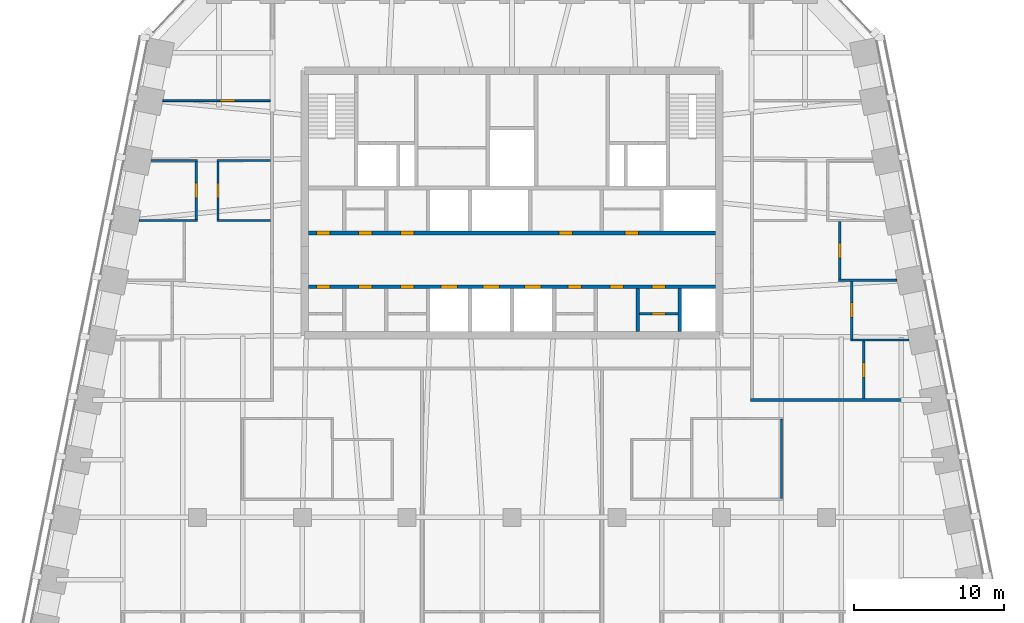
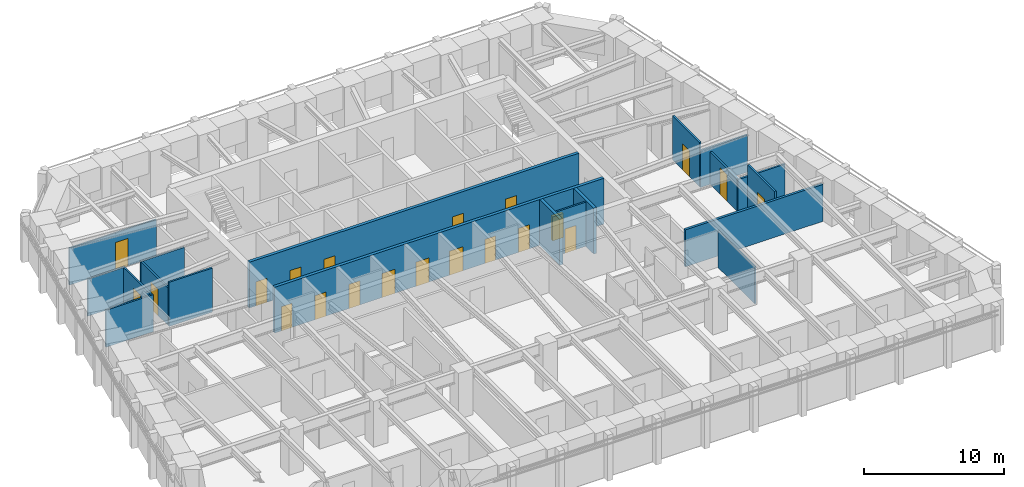
# One storey, part 7 of 11: 21 doors, 19 walls, 21 openings.
"""IFC4 building model written with IfcOpenShell, lengths in metres."""

from ifc_helpers import new_model, si_unit, direction, frame, frame_2d, origin, place, context, subcontext, project, spatial, rectangle, extrude, material, layer, layer_set, type_object, element, fill, save


model = new_model("IFC4")

# Units and contexts
model_context = context("Model", 3, precision=1e-05, world=origin(), true_north=direction((0.0, 1.0)))
body_context = subcontext(model_context, "Body", "Model", "MODEL_VIEW")
ifc_project = project(units=[si_unit("LENGTHUNIT", "METRE"), si_unit("AREAUNIT", "SQUARE_METRE"), si_unit("VOLUMEUNIT", "CUBIC_METRE"), si_unit("PLANEANGLEUNIT", "RADIAN"), si_unit("MASSUNIT", "GRAM", prefix="KILO")], contexts=[model_context])

# Site, building, storey
site_placement = place(None, origin())
site = spatial("IfcSite", under=ifc_project, at=site_placement, CompositionType="ELEMENT")
building_placement = place(site_placement, origin())
building = spatial("IfcBuilding", under=site, at=building_placement, Name="Isbrekke Arena Tower", CompositionType="ELEMENT")
storey_placement = place(building_placement, frame((0.0, 0.0, 248.0)))
storey = spatial("IfcBuildingStorey", under=building, at=storey_placement, Name="L57", CompositionType="ELEMENT", Elevation=248.0)

# Wall, openings, doors
ifc_material_1 = material(Name="Concrete B45 (C45/55)", Category="concrete")
ifc_layer_1 = layer(ifc_material_1, 0.25)
ifc_layer_set_1 = layer_set([ifc_layer_1], Name="CW6 SHAFT WALL 250")
wall_type_1 = type_object("IfcWallType", Name="CW6 SHAFT WALL 250", PredefinedType="SHEAR", material=ifc_layer_set_1)
wall_1_placement = place(storey_placement, frame((-13.60009765625, 9.39990234375, 0.0), z_axis=(0.0, 0.0, 1.0), x_axis=(1.0, 0.0, 0.0)))
wall_1 = element("IfcWall", 1, at=wall_1_placement, inside=storey, type_object=wall_type_1, Name="Core wall LS L57", PredefinedType="SHEAR", context=body_context, shape_type="SweptSolid", body=[
    extrude(rectangle(XDim=27.2001953125, YDim=0.25, at=frame_2d((13.60009765625, 0.0))), origin(), (0.0, 0.0, 1.0), 4.0),
])
opening_1_placement = place(wall_1_placement, frame((8.85009765625, 0.0, 0.0)))
opening_1 = element("IfcOpeningElement", 2, at=opening_1_placement, cuts=wall_1, Name="Opening LD1", PredefinedType="OPENING", context=body_context, shape_type="SweptSolid", body=[
    extrude(rectangle(XDim=1.10009765625, YDim=2.10009765625, at=frame_2d((0.550048828125, 1.050048828125))), frame((0.0, 0.139892578125, 0.0), z_axis=(0.0, -1.0, 0.0), x_axis=(1.0, 0.0, 0.0)), (0.0, 0.0, 1.0), 0.27978515625),
])
opening_2_placement = place(wall_1_placement, frame((11.64990234375, 0.0, 0.0)))
opening_2 = element("IfcOpeningElement", 3, at=opening_2_placement, cuts=wall_1, Name="Opening LD1", PredefinedType="OPENING", context=body_context, shape_type="SweptSolid", body=[
    extrude(rectangle(XDim=1.10009765625, YDim=2.10009765625, at=frame_2d((0.550048828125, 1.050048828125))), frame((0.0, 0.139892578125, 0.0), z_axis=(0.0, -1.0, 0.0), x_axis=(1.0, 0.0, 0.0)), (0.0, 0.0, 1.0), 0.27978515625),
])
opening_3_placement = place(wall_1_placement, frame((14.449951171875, 0.0, 0.0)))
opening_3 = element("IfcOpeningElement", 4, at=opening_3_placement, cuts=wall_1, Name="Opening LD1", PredefinedType="OPENING", context=body_context, shape_type="SweptSolid", body=[
    extrude(rectangle(XDim=1.10009765625, YDim=2.10009765625, at=frame_2d((0.550048828125, 1.050048828125))), frame((0.0, 0.139892578125, 0.0), z_axis=(0.0, -1.0, 0.0), x_axis=(1.0, 0.0, 0.0)), (0.0, 0.0, 1.0), 0.27978515625),
])
opening_4_placement = place(wall_1_placement, frame((0.550048828125, 0.0, 0.0)))
opening_4 = element("IfcOpeningElement", 5, at=opening_4_placement, cuts=wall_1, Name="Opening D5", PredefinedType="OPENING", context=body_context, shape_type="SweptSolid", body=[
    extrude(rectangle(XDim=0.89990234375, YDim=2.10009765625, at=frame_2d((0.449951171875, 1.050048828125))), frame((0.0, 0.139892578125, 0.0), z_axis=(0.0, -1.0, 0.0), x_axis=(1.0, 0.0, 0.0)), (0.0, 0.0, 1.0), 0.27978515625),
])
opening_5_placement = place(wall_1_placement, frame((3.35009765625, 0.0, 0.0)))
opening_5 = element("IfcOpeningElement", 6, at=opening_5_placement, cuts=wall_1, Name="Opening D5", PredefinedType="OPENING", context=body_context, shape_type="SweptSolid", body=[
    extrude(rectangle(XDim=0.89990234375, YDim=2.10009765625, at=frame_2d((0.449951171875, 1.050048828125))), frame((0.0, 0.139892578125, 0.0), z_axis=(0.0, -1.0, 0.0), x_axis=(1.0, 0.0, 0.0)), (0.0, 0.0, 1.0), 0.27978515625),
])
opening_6_placement = place(wall_1_placement, frame((6.14990234375, 0.0, 0.0)))
opening_6 = element("IfcOpeningElement", 7, at=opening_6_placement, cuts=wall_1, Name="Opening D5", PredefinedType="OPENING", context=body_context, shape_type="SweptSolid", body=[
    extrude(rectangle(XDim=0.89990234375, YDim=2.10009765625, at=frame_2d((0.449951171875, 1.050048828125))), frame((0.0, 0.139892578125, 0.0), z_axis=(0.0, -1.0, 0.0), x_axis=(1.0, 0.0, 0.0)), (0.0, 0.0, 1.0), 0.27978515625),
])
opening_7_placement = place(wall_1_placement, frame((17.35009765625, 0.0, 0.0)))
opening_7 = element("IfcOpeningElement", 8, at=opening_7_placement, cuts=wall_1, Name="Opening D5", PredefinedType="OPENING", context=body_context, shape_type="SweptSolid", body=[
    extrude(rectangle(XDim=0.89990234375, YDim=2.10009765625, at=frame_2d((0.449951171875, 1.050048828125))), frame((0.0, 0.139892578125, 0.0), z_axis=(0.0, -1.0, 0.0), x_axis=(1.0, 0.0, 0.0)), (0.0, 0.0, 1.0), 0.27978515625),
])
opening_8_placement = place(wall_1_placement, frame((20.14990234375, 0.0, 0.0)))
opening_8 = element("IfcOpeningElement", 9, at=opening_8_placement, cuts=wall_1, Name="Opening D5", PredefinedType="OPENING", context=body_context, shape_type="SweptSolid", body=[
    extrude(rectangle(XDim=0.89990234375, YDim=2.10009765625, at=frame_2d((0.449951171875, 1.050048828125))), frame((0.0, 0.139892578125, 0.0), z_axis=(0.0, -1.0, 0.0), x_axis=(1.0, 0.0, 0.0)), (0.0, 0.0, 1.0), 0.27978515625),
])
opening_9_placement = place(wall_1_placement, frame((22.949951171875, 0.0, 0.0)))
opening_9 = element("IfcOpeningElement", 10, at=opening_9_placement, cuts=wall_1, Name="Opening D5", PredefinedType="OPENING", context=body_context, shape_type="SweptSolid", body=[
    extrude(rectangle(XDim=0.89990234375, YDim=2.10009765625, at=frame_2d((0.449951171875, 1.050048828125))), frame((0.0, 0.139892578125, 0.0), z_axis=(0.0, -1.0, 0.0), x_axis=(1.0, 0.0, 0.0)), (0.0, 0.0, 1.0), 0.27978515625),
])
ifc_material_2 = material(Name="Steel fire door", Category="steel")
door_type_1 = type_object("IfcDoorType", Name="D5 SERVICE DOOR 900 x 2100", OperationType="SINGLE_SWING_LEFT", PredefinedType="DOOR", material=ifc_material_2)
door_1_placement = place(opening_4_placement, origin())
door_1 = element("IfcDoor", 11, at=door_1_placement, inside=storey, type_object=door_type_1, Name="D5 pantry door L57", OperationType="SINGLE_SWING_LEFT", OverallHeight=2.10009765625, OverallWidth=0.89990234375, PredefinedType="DOOR", context=body_context, shape_type="SweptSolid", body=[
    extrude(rectangle(XDim=0.89990234375, YDim=2.10009765625, at=frame_2d((0.449951171875, 1.050048828125))), frame((0.0, 0.124755859375, 0.0), z_axis=(0.0, -1.0, 0.0), x_axis=(1.0, 0.0, 0.0)), (0.0, 0.0, 1.0), 0.24951171875),
])
fill(opening_4, door_1)
door_2_placement = place(opening_5_placement, origin())
door_2 = element("IfcDoor", 12, at=door_2_placement, inside=storey, type_object=door_type_1, Name="D5 technical room door L57", OperationType="SINGLE_SWING_LEFT", OverallHeight=2.10009765625, OverallWidth=0.89990234375, PredefinedType="DOOR", context=body_context, shape_type="SweptSolid", body=[
    extrude(rectangle(XDim=0.89990234375, YDim=2.10009765625, at=frame_2d((0.449951171875, 1.050048828125))), frame((0.0, 0.124755859375, 0.0), z_axis=(0.0, -1.0, 0.0), x_axis=(1.0, 0.0, 0.0)), (0.0, 0.0, 1.0), 0.24951171875),
])
fill(opening_5, door_2)
door_3_placement = place(opening_6_placement, origin())
door_3 = element("IfcDoor", 13, at=door_3_placement, inside=storey, type_object=door_type_1, Name="D5 first-aid room door L57", OperationType="SINGLE_SWING_LEFT", OverallHeight=2.10009765625, OverallWidth=0.89990234375, PredefinedType="DOOR", context=body_context, shape_type="SweptSolid", body=[
    extrude(rectangle(XDim=0.89990234375, YDim=2.10009765625, at=frame_2d((0.449951171875, 1.050048828125))), frame((0.0, 0.124755859375, 0.0), z_axis=(0.0, -1.0, 0.0), x_axis=(1.0, 0.0, 0.0)), (0.0, 0.0, 1.0), 0.24951171875),
])
fill(opening_6, door_3)
door_4_placement = place(opening_7_placement, origin())
door_4 = element("IfcDoor", 14, at=door_4_placement, inside=storey, type_object=door_type_1, Name="D5 tea point door L57", OperationType="SINGLE_SWING_LEFT", OverallHeight=2.10009765625, OverallWidth=0.89990234375, PredefinedType="DOOR", context=body_context, shape_type="SweptSolid", body=[
    extrude(rectangle(XDim=0.89990234375, YDim=2.10009765625, at=frame_2d((0.449951171875, 1.050048828125))), frame((0.0, 0.124755859375, 0.0), z_axis=(0.0, -1.0, 0.0), x_axis=(1.0, 0.0, 0.0)), (0.0, 0.0, 1.0), 0.24951171875),
])
fill(opening_7, door_4)
door_5_placement = place(opening_8_placement, origin())
door_5 = element("IfcDoor", 15, at=door_5_placement, inside=storey, type_object=door_type_1, Name="D5 archive door L57", OperationType="SINGLE_SWING_LEFT", OverallHeight=2.10009765625, OverallWidth=0.89990234375, PredefinedType="DOOR", context=body_context, shape_type="SweptSolid", body=[
    extrude(rectangle(XDim=0.89990234375, YDim=2.10009765625, at=frame_2d((0.449951171875, 1.050048828125))), frame((0.0, 0.124755859375, 0.0), z_axis=(0.0, -1.0, 0.0), x_axis=(1.0, 0.0, 0.0)), (0.0, 0.0, 1.0), 0.24951171875),
])
fill(opening_8, door_5)
door_6_placement = place(opening_9_placement, origin())
door_6 = element("IfcDoor", 16, at=door_6_placement, inside=storey, type_object=door_type_1, Name="D5 mothers' room door L57", OperationType="SINGLE_SWING_LEFT", OverallHeight=2.10009765625, OverallWidth=0.89990234375, PredefinedType="DOOR", context=body_context, shape_type="SweptSolid", body=[
    extrude(rectangle(XDim=0.89990234375, YDim=2.10009765625, at=frame_2d((0.449951171875, 1.050048828125))), frame((0.0, 0.124755859375, 0.0), z_axis=(0.0, -1.0, 0.0), x_axis=(1.0, 0.0, 0.0)), (0.0, 0.0, 1.0), 0.24951171875),
])
fill(opening_9, door_6)
ifc_material_3 = material(Name="Stainless steel lift landing door", Category="steel")
door_type_2 = type_object("IfcDoorType", Name="LD1 LIFT LANDING DOOR 1100 x 2100", OperationType="SLIDING_TO_LEFT", PredefinedType="DOOR", material=ifc_material_3)
door_7_placement = place(opening_1_placement, origin())
door_7 = element("IfcDoor", 17, at=door_7_placement, inside=storey, type_object=door_type_2, Name="LD1 lift landing door LE L57", OperationType="SLIDING_TO_LEFT", OverallHeight=2.10009765625, OverallWidth=1.10009765625, PredefinedType="DOOR", context=body_context, shape_type="SweptSolid", body=[
    extrude(rectangle(XDim=1.10009765625, YDim=2.10009765625, at=frame_2d((0.550048828125, 1.050048828125))), frame((0.0, 0.124755859375, 0.0), z_axis=(0.0, -1.0, 0.0), x_axis=(1.0, 0.0, 0.0)), (0.0, 0.0, 1.0), 0.24951171875),
])
fill(opening_1, door_7)
door_8_placement = place(opening_2_placement, origin())
door_8 = element("IfcDoor", 18, at=door_8_placement, inside=storey, type_object=door_type_2, Name="LD1 lift landing door LE L57", OperationType="SLIDING_TO_LEFT", OverallHeight=2.10009765625, OverallWidth=1.10009765625, PredefinedType="DOOR", context=body_context, shape_type="SweptSolid", body=[
    extrude(rectangle(XDim=1.10009765625, YDim=2.10009765625, at=frame_2d((0.550048828125, 1.050048828125))), frame((0.0, 0.124755859375, 0.0), z_axis=(0.0, -1.0, 0.0), x_axis=(1.0, 0.0, 0.0)), (0.0, 0.0, 1.0), 0.24951171875),
])
fill(opening_2, door_8)
door_9_placement = place(opening_3_placement, origin())
door_9 = element("IfcDoor", 19, at=door_9_placement, inside=storey, type_object=door_type_2, Name="LD1 lift landing door LE L57", OperationType="SLIDING_TO_LEFT", OverallHeight=2.10009765625, OverallWidth=1.10009765625, PredefinedType="DOOR", context=body_context, shape_type="SweptSolid", body=[
    extrude(rectangle(XDim=1.10009765625, YDim=2.10009765625, at=frame_2d((0.550048828125, 1.050048828125))), frame((0.0, 0.124755859375, 0.0), z_axis=(0.0, -1.0, 0.0), x_axis=(1.0, 0.0, 0.0)), (0.0, 0.0, 1.0), 0.24951171875),
])
fill(opening_3, door_9)

wall_2_placement = place(storey_placement, frame((-13.60009765625, 13.0, 0.0), z_axis=(0.0, 0.0, 1.0), x_axis=(1.0, 0.0, 0.0)))
wall_2 = element("IfcWall", 20, at=wall_2_placement, inside=storey, type_object=wall_type_1, Name="Core wall LN L57", PredefinedType="SHEAR", context=body_context, shape_type="SweptSolid", body=[
    extrude(rectangle(XDim=27.2001953125, YDim=0.25, at=frame_2d((13.60009765625, 0.0))), origin(), (0.0, 0.0, 1.0), 4.0),
])
opening_10_placement = place(wall_2_placement, frame((16.75, 0.0, 0.0)))
opening_10 = element("IfcOpeningElement", 21, at=opening_10_placement, cuts=wall_2, Name="Opening D5", PredefinedType="OPENING", context=body_context, shape_type="SweptSolid", body=[
    extrude(rectangle(XDim=0.89990234375, YDim=2.10009765625, at=frame_2d((0.449951171875, 1.050048828125))), frame((0.0, 0.139892578125, 0.0), z_axis=(0.0, -1.0, 0.0), x_axis=(1.0, 0.0, 0.0)), (0.0, 0.0, 1.0), 0.27978515625),
])
opening_11_placement = place(wall_2_placement, frame((21.14990234375, 0.0, 0.0)))
opening_11 = element("IfcOpeningElement", 22, at=opening_11_placement, cuts=wall_2, Name="Opening D5", PredefinedType="OPENING", context=body_context, shape_type="SweptSolid", body=[
    extrude(rectangle(XDim=0.89990234375, YDim=2.10009765625, at=frame_2d((0.449951171875, 1.050048828125))), frame((0.0, 0.139892578125, 0.0), z_axis=(0.0, -1.0, 0.0), x_axis=(1.0, 0.0, 0.0)), (0.0, 0.0, 1.0), 0.27978515625),
])
opening_12_placement = place(wall_2_placement, frame((0.550048828125, 0.0, 0.0)))
opening_12 = element("IfcOpeningElement", 23, at=opening_12_placement, cuts=wall_2, Name="Opening D5", PredefinedType="OPENING", context=body_context, shape_type="SweptSolid", body=[
    extrude(rectangle(XDim=0.89990234375, YDim=2.10009765625, at=frame_2d((0.449951171875, 1.050048828125))), frame((0.0, 0.139892578125, 0.0), z_axis=(0.0, -1.0, 0.0), x_axis=(1.0, 0.0, 0.0)), (0.0, 0.0, 1.0), 0.27978515625),
])
opening_13_placement = place(wall_2_placement, frame((3.35009765625, 0.0, 0.0)))
opening_13 = element("IfcOpeningElement", 24, at=opening_13_placement, cuts=wall_2, Name="Opening D5", PredefinedType="OPENING", context=body_context, shape_type="SweptSolid", body=[
    extrude(rectangle(XDim=0.89990234375, YDim=2.10009765625, at=frame_2d((0.449951171875, 1.050048828125))), frame((0.0, 0.139892578125, 0.0), z_axis=(0.0, -1.0, 0.0), x_axis=(1.0, 0.0, 0.0)), (0.0, 0.0, 1.0), 0.27978515625),
])
opening_14_placement = place(wall_2_placement, frame((6.14990234375, 0.0, 0.0)))
opening_14 = element("IfcOpeningElement", 25, at=opening_14_placement, cuts=wall_2, Name="Opening D5", PredefinedType="OPENING", context=body_context, shape_type="SweptSolid", body=[
    extrude(rectangle(XDim=0.89990234375, YDim=2.10009765625, at=frame_2d((0.449951171875, 1.050048828125))), frame((0.0, 0.139892578125, 0.0), z_axis=(0.0, -1.0, 0.0), x_axis=(1.0, 0.0, 0.0)), (0.0, 0.0, 1.0), 0.27978515625),
])
door_10_placement = place(opening_10_placement, origin())
door_10 = element("IfcDoor", 26, at=door_10_placement, inside=storey, type_object=door_type_1, Name="D5 cleaner's store door L57", OperationType="SINGLE_SWING_LEFT", OverallHeight=2.10009765625, OverallWidth=0.89990234375, PredefinedType="DOOR", context=body_context, shape_type="SweptSolid", body=[
    extrude(rectangle(XDim=0.89990234375, YDim=2.10009765625, at=frame_2d((0.449951171875, 1.050048828125))), frame((0.0, 0.124755859375, 0.0), z_axis=(0.0, -1.0, 0.0), x_axis=(1.0, 0.0, 0.0)), (0.0, 0.0, 1.0), 0.24951171875),
])
fill(opening_10, door_10)
door_11_placement = place(opening_11_placement, origin())
door_11 = element("IfcDoor", 27, at=door_11_placement, inside=storey, type_object=door_type_1, Name="D5 communications room door L57", OperationType="SINGLE_SWING_LEFT", OverallHeight=2.10009765625, OverallWidth=0.89990234375, PredefinedType="DOOR", context=body_context, shape_type="SweptSolid", body=[
    extrude(rectangle(XDim=0.89990234375, YDim=2.10009765625, at=frame_2d((0.449951171875, 1.050048828125))), frame((0.0, 0.124755859375, 0.0), z_axis=(0.0, -1.0, 0.0), x_axis=(1.0, 0.0, 0.0)), (0.0, 0.0, 1.0), 0.24951171875),
])
fill(opening_11, door_11)
door_12_placement = place(opening_12_placement, origin())
door_12 = element("IfcDoor", 28, at=door_12_placement, inside=storey, type_object=door_type_1, Name="D5 print room door L57", OperationType="SINGLE_SWING_LEFT", OverallHeight=2.10009765625, OverallWidth=0.89990234375, PredefinedType="DOOR", context=body_context, shape_type="SweptSolid", body=[
    extrude(rectangle(XDim=0.89990234375, YDim=2.10009765625, at=frame_2d((0.449951171875, 1.050048828125))), frame((0.0, 0.124755859375, 0.0), z_axis=(0.0, -1.0, 0.0), x_axis=(1.0, 0.0, 0.0)), (0.0, 0.0, 1.0), 0.24951171875),
])
fill(opening_12, door_12)
door_13_placement = place(opening_13_placement, origin())
door_13 = element("IfcDoor", 29, at=door_13_placement, inside=storey, type_object=door_type_1, Name="D5 pantry door L57", OperationType="SINGLE_SWING_LEFT", OverallHeight=2.10009765625, OverallWidth=0.89990234375, PredefinedType="DOOR", context=body_context, shape_type="SweptSolid", body=[
    extrude(rectangle(XDim=0.89990234375, YDim=2.10009765625, at=frame_2d((0.449951171875, 1.050048828125))), frame((0.0, 0.124755859375, 0.0), z_axis=(0.0, -1.0, 0.0), x_axis=(1.0, 0.0, 0.0)), (0.0, 0.0, 1.0), 0.24951171875),
])
fill(opening_13, door_13)
door_14_placement = place(opening_14_placement, origin())
door_14 = element("IfcDoor", 30, at=door_14_placement, inside=storey, type_object=door_type_1, Name="D5 tenant store door L57", OperationType="SINGLE_SWING_LEFT", OverallHeight=2.10009765625, OverallWidth=0.89990234375, PredefinedType="DOOR", context=body_context, shape_type="SweptSolid", body=[
    extrude(rectangle(XDim=0.89990234375, YDim=2.10009765625, at=frame_2d((0.449951171875, 1.050048828125))), frame((0.0, 0.124755859375, 0.0), z_axis=(0.0, -1.0, 0.0), x_axis=(1.0, 0.0, 0.0)), (0.0, 0.0, 1.0), 0.24951171875),
])
fill(opening_14, door_14)

# Walls
for number, where, z_axis, x_axis, name in (
    (31, (8.39990234375, 6.39990234375, 0.0), (0.0, 0.0, 1.0), (0.0, 1.0, 0.0), "Core wall SS08 L57"),
    (32, (11.199951171875, 6.39990234375, 0.0), (0.0, 0.0, 1.0), (0.0, 1.0, 0.0), "Core wall SS09 L57"),
):
    element("IfcWall", number, at=place(storey_placement, frame(where, z_axis=z_axis, x_axis=x_axis)), inside=storey, type_object=wall_type_1, Name=name, PredefinedType="SHEAR", context=body_context, shape_type="SweptSolid", body=[
        extrude(rectangle(XDim=2.875, YDim=0.25, at=frame_2d((1.4375, 0.0))), origin(), (0.0, 0.0, 1.0), 4.0),
    ])
ifc_material_4 = material(Name="Gypsum board partition on steel studs", Category="steel")
ifc_layer_2 = layer(ifc_material_4, 0.14990234375)
ifc_layer_set_2 = layer_set([ifc_layer_2], Name="IW1 PARTITION 150")
wall_type_2 = type_object("IfcWallType", Name="IW1 PARTITION 150", PredefinedType="PARTITIONING", material=ifc_layer_set_2)
wall_3_placement = place(storey_placement, frame((22.625, 5.840087890625, 0.0), z_axis=(0.0, 0.0, 1.0), x_axis=(1.0, 0.0, 0.0)))
element("IfcWall", 33, at=wall_3_placement, inside=storey, type_object=wall_type_2, Name="IW1 partition 150 L57", PredefinedType="PARTITIONING", context=body_context, shape_type="SweptSolid", body=[
    extrude(rectangle(XDim=3.898681640625, YDim=0.14990234375, at=frame_2d((1.94921875, 0.0))), origin(), (0.0, 0.0, 1.0), 2.842041015625),
])
for number, where, z_axis, x_axis, name in (
    (34, (21.824951171875, 9.840087890625, 0.0), (0.0, 0.0, 1.0), (1.0, 0.0, 0.0), "IW1 partition 150 L57"),
    (35, (-24.923828125, 13.840087890625, 0.0), (0.0, 0.0, 1.0), (1.0, 0.0, 0.0), "IW1 partition 150 L57"),
):
    element("IfcWall", number, at=place(storey_placement, frame(where, z_axis=z_axis, x_axis=x_axis)), inside=storey, type_object=wall_type_2, Name=name, PredefinedType="PARTITIONING", context=body_context, shape_type="SweptSolid", body=[
        extrude(rectangle(XDim=3.89892578125, YDim=0.14990234375, at=frame_2d((1.949462890625, 0.0))), origin(), (0.0, 0.0, 1.0), 3.22998046875),
    ])
wall_4_placement = place(storey_placement, frame((-19.72509765625, 13.840087890625, 0.0), z_axis=(0.0, 0.0, 1.0), x_axis=(1.0, 0.0, 0.0)))
element("IfcWall", 36, at=wall_4_placement, inside=storey, type_object=wall_type_2, Name="IW1 partition 150 L57", PredefinedType="PARTITIONING", context=body_context, shape_type="SweptSolid", body=[
    extrude(rectangle(XDim=3.5751953125, YDim=0.14990234375, at=frame_2d((1.78759765625, 0.0))), origin(), (0.0, 0.0, 1.0), 3.85009765625),
])
wall_5_placement = place(storey_placement, frame((-24.123779296875, 17.840087890625, 0.0), z_axis=(0.0, 0.0, 1.0), x_axis=(1.0, 0.0, 0.0)))
element("IfcWall", 37, at=wall_5_placement, inside=storey, type_object=wall_type_2, Name="IW1 partition 150 L57", PredefinedType="PARTITIONING", context=body_context, shape_type="SweptSolid", body=[
    extrude(rectangle(XDim=3.098876953125, YDim=0.14990234375, at=frame_2d((1.54931640625, 0.0))), origin(), (0.0, 0.0, 1.0), 3.22998046875),
])
wall_6_placement = place(storey_placement, frame((-19.72509765625, 17.840087890625, 0.0), z_axis=(0.0, 0.0, 1.0), x_axis=(1.0, 0.0, 0.0)))
element("IfcWall", 38, at=wall_6_placement, inside=storey, type_object=wall_type_2, Name="IW1 partition 150 L57", PredefinedType="PARTITIONING", context=body_context, shape_type="SweptSolid", body=[
    extrude(rectangle(XDim=3.5751953125, YDim=0.14990234375, at=frame_2d((1.78759765625, 0.0))), origin(), (0.0, 0.0, 1.0), 3.22998046875),
])

# Wall, opening, door
wall_7_placement = place(storey_placement, frame((-21.10009765625, 13.9150390625, 0.0), z_axis=(0.0, 0.0, 1.0), x_axis=(0.0, 1.0, 0.0)))
wall_7 = element("IfcWall", 39, at=wall_7_placement, inside=storey, type_object=wall_type_2, Name="IW1 partition 150 L57", PredefinedType="PARTITIONING", context=body_context, shape_type="SweptSolid", body=[
    extrude(rectangle(XDim=3.849853515625, YDim=0.14990234375, at=frame_2d((1.9248046875, 0.0))), origin(), (0.0, 0.0, 1.0), 3.22998046875),
])
opening_15_placement = place(wall_7_placement, frame((1.425048828125, 0.0, 0.0)))
opening_15 = element("IfcOpeningElement", 40, at=opening_15_placement, cuts=wall_7, Name="Opening D10", PredefinedType="OPENING", context=body_context, shape_type="SweptSolid", body=[
    extrude(rectangle(XDim=1.0, YDim=2.300048828125, at=frame_2d((0.5, 1.14990234375))), frame((0.0, 0.08984375, 0.0), z_axis=(0.0, -1.0, 0.0), x_axis=(1.0, 0.0, 0.0)), (0.0, 0.0, 1.0), 0.1796875),
])
ifc_material_5 = material(Name="Timber door", Category="wood")
door_type_3 = type_object("IfcDoorType", Name="D10 OFFICE DOOR 1000 x 2300", OperationType="SINGLE_SWING_LEFT", PredefinedType="DOOR", material=ifc_material_5)
door_15_placement = place(opening_15_placement, origin())
door_15 = element("IfcDoor", 41, at=door_15_placement, inside=storey, type_object=door_type_3, Name="D10 office door L57", OperationType="SINGLE_SWING_LEFT", OverallHeight=2.300048828125, OverallWidth=1.0, PredefinedType="DOOR", context=body_context, shape_type="SweptSolid", body=[
    extrude(rectangle(XDim=1.0, YDim=2.300048828125, at=frame_2d((0.5, 1.14990234375))), frame((0.0, 0.07470703125, 0.0), z_axis=(0.0, -1.0, 0.0), x_axis=(1.0, 0.0, 0.0)), (0.0, 0.0, 1.0), 0.1494140625),
])
fill(opening_15, door_15)

wall_8_placement = place(storey_placement, frame((-19.64990234375, 13.9150390625, 0.0), z_axis=(0.0, 0.0, 1.0), x_axis=(0.0, 1.0, 0.0)))
wall_8 = element("IfcWall", 42, at=wall_8_placement, inside=storey, type_object=wall_type_2, Name="IW1 partition 150 L57", PredefinedType="PARTITIONING", context=body_context, shape_type="SweptSolid", body=[
    extrude(rectangle(XDim=3.849853515625, YDim=0.14990234375, at=frame_2d((1.9248046875, 0.0))), origin(), (0.0, 0.0, 1.0), 3.22998046875),
])
opening_16_placement = place(wall_8_placement, frame((1.425048828125, 0.0, 0.0)))
opening_16 = element("IfcOpeningElement", 43, at=opening_16_placement, cuts=wall_8, Name="Opening D10", PredefinedType="OPENING", context=body_context, shape_type="SweptSolid", body=[
    extrude(rectangle(XDim=1.0, YDim=2.300048828125, at=frame_2d((0.5, 1.14990234375))), frame((0.0, 0.08984375, 0.0), z_axis=(0.0, -1.0, 0.0), x_axis=(1.0, 0.0, 0.0)), (0.0, 0.0, 1.0), 0.1796875),
])
door_16_placement = place(opening_16_placement, origin())
door_16 = element("IfcDoor", 44, at=door_16_placement, inside=storey, type_object=door_type_3, Name="D10 print room door L57", OperationType="SINGLE_SWING_LEFT", OverallHeight=2.300048828125, OverallWidth=1.0, PredefinedType="DOOR", context=body_context, shape_type="SweptSolid", body=[
    extrude(rectangle(XDim=1.0, YDim=2.300048828125, at=frame_2d((0.5, 1.14990234375))), frame((0.0, 0.07470703125, 0.0), z_axis=(0.0, -1.0, 0.0), x_axis=(1.0, 0.0, 0.0)), (0.0, 0.0, 1.0), 0.1494140625),
])
fill(opening_16, door_16)

wall_9_placement = place(storey_placement, frame((21.89990234375, 9.9150390625, 0.0), z_axis=(0.0, 0.0, 1.0), x_axis=(0.0, 1.0, 0.0)))
wall_9 = element("IfcWall", 45, at=wall_9_placement, inside=storey, type_object=wall_type_2, Name="IW1 partition 150 L57", PredefinedType="PARTITIONING", context=body_context, shape_type="SweptSolid", body=[
    extrude(rectangle(XDim=3.849853515625, YDim=0.14990234375, at=frame_2d((1.9248046875, 0.0))), origin(), (0.0, 0.0, 1.0), 3.85009765625),
])
opening_17_placement = place(wall_9_placement, frame((1.425048828125, 0.0, 0.0)))
opening_17 = element("IfcOpeningElement", 46, at=opening_17_placement, cuts=wall_9, Name="Opening D10", PredefinedType="OPENING", context=body_context, shape_type="SweptSolid", body=[
    extrude(rectangle(XDim=1.0, YDim=2.300048828125, at=frame_2d((0.5, 1.14990234375))), frame((0.0, 0.08984375, 0.0), z_axis=(0.0, -1.0, 0.0), x_axis=(1.0, 0.0, 0.0)), (0.0, 0.0, 1.0), 0.1796875),
])
door_17_placement = place(opening_17_placement, origin())
door_17 = element("IfcDoor", 47, at=door_17_placement, inside=storey, type_object=door_type_3, Name="D10 office door L57", OperationType="SINGLE_SWING_LEFT", OverallHeight=2.300048828125, OverallWidth=1.0, PredefinedType="DOOR", context=body_context, shape_type="SweptSolid", body=[
    extrude(rectangle(XDim=1.0, YDim=2.300048828125, at=frame_2d((0.5, 1.14990234375))), frame((0.0, 0.07470703125, 0.0), z_axis=(0.0, -1.0, 0.0), x_axis=(1.0, 0.0, 0.0)), (0.0, 0.0, 1.0), 0.1494140625),
])
fill(opening_17, door_17)

wall_10_placement = place(storey_placement, frame((22.699951171875, 5.9150390625, 0.0), z_axis=(0.0, 0.0, 1.0), x_axis=(0.0, 1.0, 0.0)))
wall_10 = element("IfcWall", 48, at=wall_10_placement, inside=storey, type_object=wall_type_2, Name="IW1 partition 150 L57", PredefinedType="PARTITIONING", context=body_context, shape_type="SweptSolid", body=[
    extrude(rectangle(XDim=3.849853515625, YDim=0.14990234375, at=frame_2d((1.9248046875, 0.0))), origin(), (0.0, 0.0, 1.0), 2.842041015625),
])
opening_18_placement = place(wall_10_placement, frame((1.425048828125, 0.0, 0.0)))
opening_18 = element("IfcOpeningElement", 49, at=opening_18_placement, cuts=wall_10, Name="Opening D10", PredefinedType="OPENING", context=body_context, shape_type="SweptSolid", body=[
    extrude(rectangle(XDim=1.0, YDim=2.300048828125, at=frame_2d((0.5, 1.14990234375))), frame((0.0, 0.08984375, 0.0), z_axis=(0.0, -1.0, 0.0), x_axis=(1.0, 0.0, 0.0)), (0.0, 0.0, 1.0), 0.1796875),
])
door_18_placement = place(opening_18_placement, origin())
door_18 = element("IfcDoor", 50, at=door_18_placement, inside=storey, type_object=door_type_3, Name="D10 office door L57", OperationType="SINGLE_SWING_LEFT", OverallHeight=2.300048828125, OverallWidth=1.0, PredefinedType="DOOR", context=body_context, shape_type="SweptSolid", body=[
    extrude(rectangle(XDim=1.0, YDim=2.300048828125, at=frame_2d((0.5, 1.14990234375))), frame((0.0, 0.07470703125, 0.0), z_axis=(0.0, -1.0, 0.0), x_axis=(1.0, 0.0, 0.0)), (0.0, 0.0, 1.0), 0.1494140625),
])
fill(opening_18, door_18)

wall_11_placement = place(storey_placement, frame((23.5, 1.93994140625, 0.0), z_axis=(0.0, 0.0, 1.0), x_axis=(0.0, 1.0, 0.0)))
wall_11 = element("IfcWall", 51, at=wall_11_placement, inside=storey, type_object=wall_type_2, Name="IW1 partition 150 L57", PredefinedType="PARTITIONING", context=body_context, shape_type="SweptSolid", body=[
    extrude(rectangle(XDim=3.824951171875, YDim=0.14990234375, at=frame_2d((1.91259765625, 0.0))), origin(), (0.0, 0.0, 1.0), 3.85009765625),
])
opening_19_placement = place(wall_11_placement, frame((1.39990234375, 0.0, 0.0)))
opening_19 = element("IfcOpeningElement", 52, at=opening_19_placement, cuts=wall_11, Name="Opening D10", PredefinedType="OPENING", context=body_context, shape_type="SweptSolid", body=[
    extrude(rectangle(XDim=1.0, YDim=2.300048828125, at=frame_2d((0.5, 1.14990234375))), frame((0.0, 0.08984375, 0.0), z_axis=(0.0, -1.0, 0.0), x_axis=(1.0, 0.0, 0.0)), (0.0, 0.0, 1.0), 0.1796875),
])
door_19_placement = place(opening_19_placement, origin())
door_19 = element("IfcDoor", 53, at=door_19_placement, inside=storey, type_object=door_type_3, Name="D10 office door L57", OperationType="SINGLE_SWING_LEFT", OverallHeight=2.300048828125, OverallWidth=1.0, PredefinedType="DOOR", context=body_context, shape_type="SweptSolid", body=[
    extrude(rectangle(XDim=1.0, YDim=2.300048828125, at=frame_2d((0.5, 1.14990234375))), frame((0.0, 0.07470703125, 0.0), z_axis=(0.0, -1.0, 0.0), x_axis=(1.0, 0.0, 0.0)), (0.0, 0.0, 1.0), 0.1494140625),
])
fill(opening_19, door_19)

ifc_material_6 = material(Name="Frameless glazed partition, laminated acoustic glass", Category="glass")
ifc_layer_3 = layer(ifc_material_6, 0.1201171875)
ifc_layer_set_3 = layer_set([ifc_layer_3], Name="IW2 GLAZED PARTITION 120")
wall_type_3 = type_object("IfcWallType", Name="IW2 GLAZED PARTITION 120", PredefinedType="PARTITIONING", material=ifc_layer_set_3)
wall_12_placement = place(storey_placement, frame((-23.32373046875, 21.840087890625, 0.0), z_axis=(0.0, 0.0, 1.0), x_axis=(1.0, 0.0, 0.0)))
wall_12 = element("IfcWall", 54, at=wall_12_placement, inside=storey, type_object=wall_type_3, Name="IW2 glazed partition 120 L57", PredefinedType="PARTITIONING", context=body_context, shape_type="SweptSolid", body=[
    extrude(rectangle(XDim=7.173828125, YDim=0.1201171875, at=frame_2d((3.5869140625, 0.0))), origin(), (0.0, 0.0, 1.0), 3.22998046875),
])
opening_20_placement = place(wall_12_placement, frame((3.82373046875, 0.0, 0.0)))
opening_20 = element("IfcOpeningElement", 55, at=opening_20_placement, cuts=wall_12, Name="Opening D11", PredefinedType="OPENING", context=body_context, shape_type="SweptSolid", body=[
    extrude(rectangle(XDim=1.0, YDim=2.39990234375, at=frame_2d((0.5, 1.199951171875))), frame((0.0, 0.074951171875, 0.0), z_axis=(0.0, -1.0, 0.0), x_axis=(1.0, 0.0, 0.0)), (0.0, 0.0, 1.0), 0.14990234375),
])
ifc_material_7 = material(Name="Frameless glazed door", Category="glass")
door_type_4 = type_object("IfcDoorType", Name="D11 GLAZED MEETING ROOM DOOR 1000 x 2400", OperationType="SINGLE_SWING_RIGHT", PredefinedType="DOOR", material=ifc_material_7)
door_20_placement = place(opening_20_placement, origin())
door_20 = element("IfcDoor", 56, at=door_20_placement, inside=storey, type_object=door_type_4, Name="D11 meeting room door L57", OperationType="SINGLE_SWING_RIGHT", OverallHeight=2.39990234375, OverallWidth=1.0, PredefinedType="DOOR", context=body_context, shape_type="SweptSolid", body=[
    extrude(rectangle(XDim=1.0, YDim=2.39990234375, at=frame_2d((0.5, 1.199951171875))), frame((0.0, 0.059814453125, 0.0), z_axis=(0.0, -1.0, 0.0), x_axis=(1.0, 0.0, 0.0)), (0.0, 0.0, 1.0), 0.11962890625),
])
fill(opening_20, door_20)

# Walls
wall_13_placement = place(storey_placement, frame((18.0, -4.739990234375, 0.0), z_axis=(0.0, 0.0, 1.0), x_axis=(0.0, 1.0, 0.0)))
element("IfcWall", 57, at=wall_13_placement, inside=storey, type_object=wall_type_3, Name="IW2 glazed partition 120 L57", PredefinedType="PARTITIONING", context=body_context, shape_type="SweptSolid", body=[
    extrude(rectangle(XDim=5.280029296875, YDim=0.1201171875, at=frame_2d((2.64013671875, 0.0))), origin(), (0.0, 0.0, 1.0), 3.22998046875),
])
ifc_material_8 = material(Name="Gypsum board fire-cell wall on steel studs, two layers each side", Category="steel")
ifc_layer_4 = layer(ifc_material_8, 0.199951171875)
ifc_layer_set_4 = layer_set([ifc_layer_4], Name="IW3 FIRE-CELL WALL 200")
wall_type_4 = type_object("IfcWallType", Name="IW3 FIRE-CELL WALL 200", PredefinedType="PARTITIONING", material=ifc_layer_set_4)
wall_14_placement = place(storey_placement, frame((15.949951171875, 1.840087890625, 0.0), z_axis=(0.0, 0.0, 1.0), x_axis=(1.0, 0.0, 0.0)))
element("IfcWall", 58, at=wall_14_placement, inside=storey, type_object=wall_type_4, Name="IW3 fire-cell wall 200 L57", PredefinedType="PARTITIONING", context=body_context, shape_type="SweptSolid", body=[
    extrude(rectangle(XDim=11.373779296875, YDim=0.199951171875, at=frame_2d((5.68701171875, 0.0))), origin(), (0.0, 0.0, 1.0), 3.22998046875),
])

# Wall, opening, door
ifc_material_9 = material(Name="Gypsum board fire-rated partition on steel studs, two layers each side", Category="steel")
ifc_layer_5 = layer(ifc_material_9, 0.14990234375)
ifc_layer_set_5 = layer_set([ifc_layer_5], Name="IW5 FIRE-RATED PARTITION 150")
wall_type_5 = type_object("IfcWallType", Name="IW5 FIRE-RATED PARTITION 150", PredefinedType="PARTITIONING", material=ifc_layer_set_5)
wall_15_placement = place(storey_placement, frame((8.52490234375, 7.60009765625, 0.0), z_axis=(0.0, 0.0, 1.0), x_axis=(1.0, 0.0, 0.0)))
wall_15 = element("IfcWall", 59, at=wall_15_placement, inside=storey, type_object=wall_type_5, Name="IW5 fire-rated partition L57 core service rooms 6", PredefinedType="PARTITIONING", context=body_context, shape_type="SweptSolid", body=[
    extrude(rectangle(XDim=2.550048828125, YDim=0.14990234375, at=frame_2d((1.27490234375, 0.0))), origin(), (0.0, 0.0, 1.0), 3.85009765625),
])
opening_21_placement = place(wall_15_placement, frame((0.824951171875, 0.0, 0.0)))
opening_21 = element("IfcOpeningElement", 60, at=opening_21_placement, cuts=wall_15, Name="Opening D5", PredefinedType="OPENING", context=body_context, shape_type="SweptSolid", body=[
    extrude(rectangle(XDim=0.89990234375, YDim=2.10009765625, at=frame_2d((0.449951171875, 1.050048828125))), frame((0.0, 0.08984375, 0.0), z_axis=(0.0, -1.0, 0.0), x_axis=(1.0, 0.0, 0.0)), (0.0, 0.0, 1.0), 0.1796875),
])
door_21_placement = place(opening_21_placement, origin())
door_21 = element("IfcDoor", 61, at=door_21_placement, inside=storey, type_object=door_type_1, Name="D5 archive door L57", OperationType="SINGLE_SWING_LEFT", OverallHeight=2.10009765625, OverallWidth=0.89990234375, PredefinedType="DOOR", context=body_context, shape_type="SweptSolid", body=[
    extrude(rectangle(XDim=0.89990234375, YDim=2.10009765625, at=frame_2d((0.449951171875, 1.050048828125))), frame((0.0, 0.07470703125, 0.0), z_axis=(0.0, -1.0, 0.0), x_axis=(1.0, 0.0, 0.0)), (0.0, 0.0, 1.0), 0.1494140625),
])
fill(opening_21, door_21)

save(model, "model.ifc")
